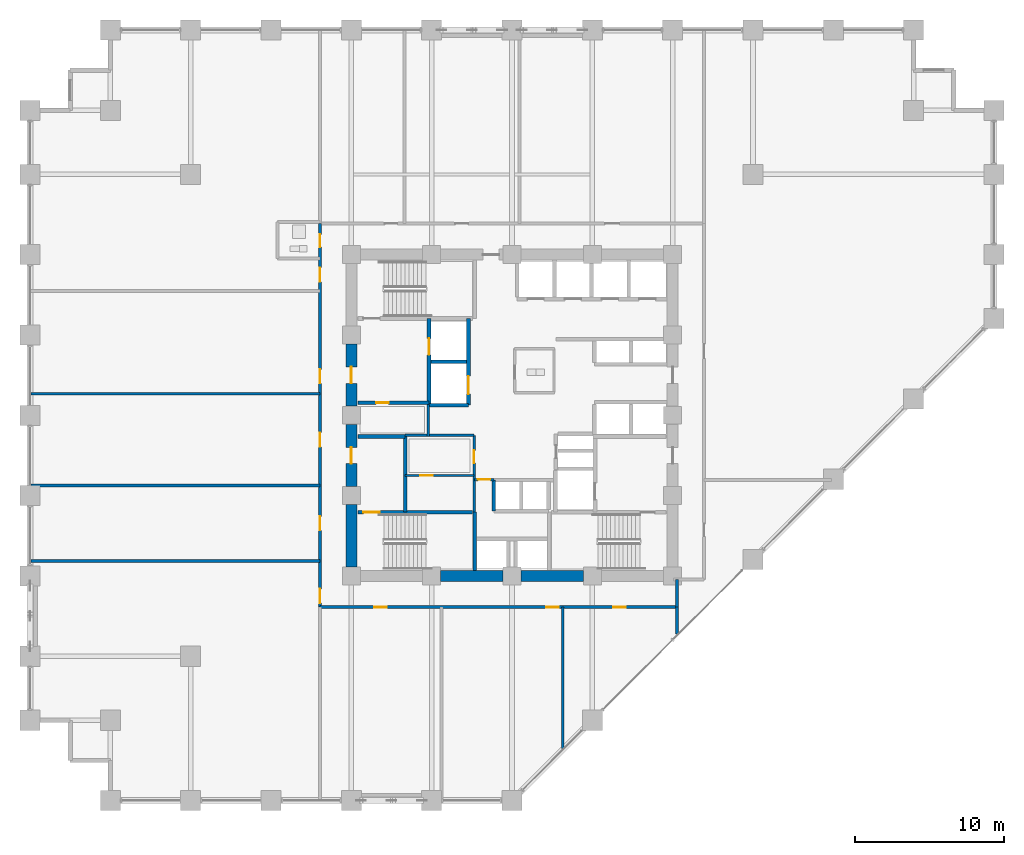
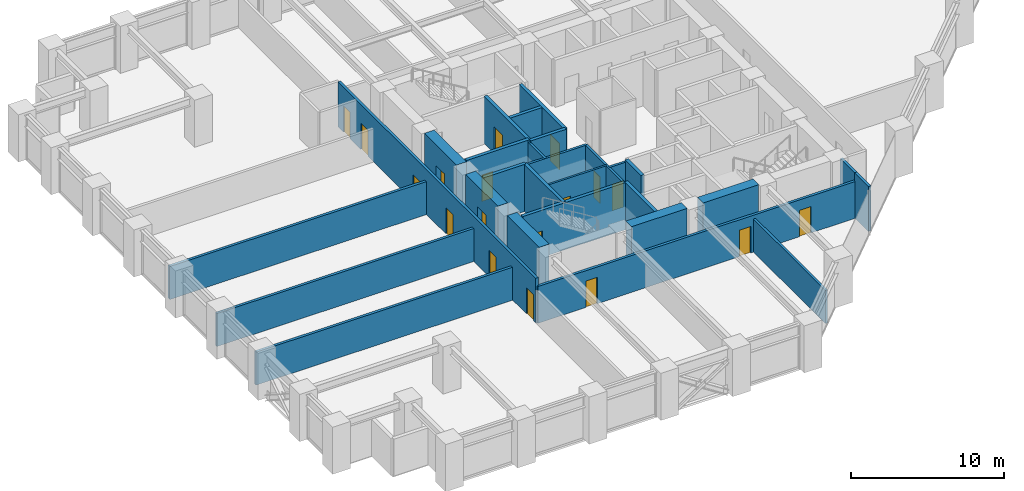
# One storey, part 20 of 24: 28 walls, 18 doors, 18 openings.
"""IFC4 building model written with IfcOpenShell, lengths in metres."""

from ifc_helpers import new_model, si_unit, direction, frame, frame_2d, origin, place, context, subcontext, project, spatial, rectangle, extrude, material, layer, layer_set, type_object, element, fill, save


model = new_model("IFC4")

# Units and contexts
model_context = context("Model", 3, precision=1e-05, world=origin(), true_north=direction((0.0, 1.0)))
body_context = subcontext(model_context, "Body", "Model", "MODEL_VIEW")
ifc_project = project(units=[si_unit("LENGTHUNIT", "METRE"), si_unit("AREAUNIT", "SQUARE_METRE"), si_unit("VOLUMEUNIT", "CUBIC_METRE"), si_unit("PLANEANGLEUNIT", "RADIAN"), si_unit("MASSUNIT", "GRAM", prefix="KILO")], contexts=[model_context])

# Site, building, storey
site_placement = place(None, origin())
site = spatial("IfcSite", under=ifc_project, at=site_placement, CompositionType="ELEMENT")
building_placement = place(site_placement, origin())
building = spatial("IfcBuilding", under=site, at=building_placement, Name="Surkhivell Harbour Commons", CompositionType="ELEMENT")
storey_placement = place(building_placement, frame((0.0, 0.0, 30.0)))
storey = spatial("IfcBuildingStorey", under=building, at=storey_placement, Name="L07", CompositionType="ELEMENT", Elevation=30.0)

# Walls
ifc_material_1 = material(Name="Concrete C60/75", Category="concrete")
ifc_layer_1 = layer(ifc_material_1, 0.75)
ifc_layer_set_1 = layer_set([ifc_layer_1], Name="Concrete C60/75")
wall_type_1 = type_object("IfcWallType", Name="WAL-CORE-750", PredefinedType="SHEAR", material=ifc_layer_set_1)
for number, where, z_axis, x_axis, name in (
    (1, (-10.800048828125, -10.18994140625, 0.0), (0.0, 0.0, 1.0), (0.0, 1.0, 0.0), "L07 Core Shear Wall West 1"),
    (2, (-4.7900390625, -10.800048828125, 0.0), (0.0, 0.0, 1.0), (1.0, 0.0, 0.0), "L07 Core Shear Wall South 2"),
):
    element("IfcWall", number, at=place(storey_placement, frame(where, z_axis=z_axis, x_axis=x_axis)), inside=storey, type_object=wall_type_1, Name=name, PredefinedType="SHEAR", context=body_context, shape_type="SweptSolid", body=[
        extrude(rectangle(XDim=4.179931640625, YDim=0.75, at=frame_2d((2.08984375, 0.0))), origin(), (0.0, 0.0, 1.0), 3.75),
    ])

# Wall, opening, door
wall_1_placement = place(storey_placement, frame((-10.800048828125, -4.7900390625, 0.0), z_axis=(0.0, 0.0, 1.0), x_axis=(0.0, 1.0, 0.0)))
wall_1 = element("IfcWall", 3, at=wall_1_placement, inside=storey, type_object=wall_type_1, Name="L07 Core Shear Wall West 2", PredefinedType="SHEAR", context=body_context, shape_type="SweptSolid", body=[
    extrude(rectangle(XDim=4.179931640625, YDim=0.75, at=frame_2d((2.08984375, 0.0))), origin(), (0.0, 0.0, 1.0), 3.75),
])
opening_1_placement = place(wall_1_placement, frame((1.5400390625, 0.0, 0.0)))
opening_1 = element("IfcOpeningElement", 4, at=opening_1_placement, cuts=wall_1, Name="Opening ID-2", PredefinedType="OPENING", context=body_context, shape_type="SweptSolid", body=[
    extrude(rectangle(XDim=1.10009765625, YDim=2.10009765625, at=frame_2d((0.550048828125, 1.050048828125))), frame((0.0, 0.385009765625, 0.0), z_axis=(0.0, -1.0, 0.0), x_axis=(1.0, 0.0, 0.0)), (0.0, 0.0, 1.0), 0.77001953125),
])
ifc_material_2 = material(Name="Hardwood-veneered fire-rated door leaf", Category="wood")
door_type_1 = type_object("IfcDoorType", Name="DOR-FD60-1100", OperationType="NOTDEFINED", PredefinedType="DOOR", material=ifc_material_2)
door_1_placement = place(opening_1_placement, origin())
door_1 = element("IfcDoor", 5, at=door_1_placement, inside=storey, type_object=door_type_1, Name="L07 Stair 3 Lobby Corridor Door", OperationType="SINGLE_SWING_LEFT", OverallHeight=2.10009765625, OverallWidth=1.10009765625, PredefinedType="DOOR", context=body_context, shape_type="SweptSolid", body=[
    extrude(rectangle(XDim=1.10009765625, YDim=2.10009765625, at=frame_2d((0.550048828125, 1.050048828125))), frame((0.0, 0.02490234375, 0.0), z_axis=(0.0, -1.0, 0.0), x_axis=(1.0, 0.0, 0.0)), (0.0, 0.0, 1.0), 0.050048828125),
])
fill(opening_1, door_1)

# Wall
wall_2_placement = place(storey_placement, frame((0.610107421875, -10.800048828125, 0.0), z_axis=(0.0, 0.0, 1.0), x_axis=(1.0, 0.0, 0.0)))
element("IfcWall", 6, at=wall_2_placement, inside=storey, type_object=wall_type_1, Name="L07 Core Shear Wall South 3", PredefinedType="SHEAR", context=body_context, shape_type="SweptSolid", body=[
    extrude(rectangle(XDim=4.179931640625, YDim=0.75, at=frame_2d((2.08984375, 0.0))), origin(), (0.0, 0.0, 1.0), 3.75),
])

# Wall, opening, door
wall_3_placement = place(storey_placement, frame((-10.800048828125, 0.610107421875, 0.0), z_axis=(0.0, 0.0, 1.0), x_axis=(0.0, 1.0, 0.0)))
wall_3 = element("IfcWall", 7, at=wall_3_placement, inside=storey, type_object=wall_type_1, Name="L07 Core Shear Wall West 3", PredefinedType="SHEAR", context=body_context, shape_type="SweptSolid", body=[
    extrude(rectangle(XDim=4.179931640625, YDim=0.75, at=frame_2d((2.08984375, 0.0))), origin(), (0.0, 0.0, 1.0), 3.75),
])
opening_2_placement = place(wall_3_placement, frame((1.5400390625, 0.0, 0.0)))
opening_2 = element("IfcOpeningElement", 8, at=opening_2_placement, cuts=wall_3, Name="Opening ID-1", PredefinedType="OPENING", context=body_context, shape_type="SweptSolid", body=[
    extrude(rectangle(XDim=1.10009765625, YDim=2.10009765625, at=frame_2d((0.550048828125, 1.050048828125))), frame((0.0, 0.385009765625, 0.0), z_axis=(0.0, -1.0, 0.0), x_axis=(1.0, 0.0, 0.0)), (0.0, 0.0, 1.0), 0.77001953125),
])
door_type_2 = type_object("IfcDoorType", Name="DOR-FD120-1100", OperationType="NOTDEFINED", PredefinedType="DOOR", material=ifc_material_2)
door_2_placement = place(opening_2_placement, origin())
door_2 = element("IfcDoor", 9, at=door_2_placement, inside=storey, type_object=door_type_2, Name="L07 Firefighting Lobby 1 Corridor Door", OperationType="SINGLE_SWING_LEFT", OverallHeight=2.10009765625, OverallWidth=1.10009765625, PredefinedType="DOOR", context=body_context, shape_type="SweptSolid", body=[
    extrude(rectangle(XDim=1.10009765625, YDim=2.10009765625, at=frame_2d((0.550048828125, 1.050048828125))), frame((0.0, 0.02490234375, 0.0), z_axis=(0.0, -1.0, 0.0), x_axis=(1.0, 0.0, 0.0)), (0.0, 0.0, 1.0), 0.050048828125),
])
fill(opening_2, door_2)

ifc_material_3 = material(Name="Twin-stud acoustic fireboard partition", Category="other")
ifc_layer_2 = layer(ifc_material_3, 0.14990234375)
ifc_layer_set_2 = layer_set([ifc_layer_2], Name="Twin-stud acoustic fireboard partition")
wall_type_2 = type_object("IfcWallType", Name="WAL-INT-150", PredefinedType="PARTITIONING", material=ifc_layer_set_2)
wall_4_placement = place(storey_placement, frame((-7.179931640625, -4.050048828125, 0.0), z_axis=(0.0, 0.0, 1.0), x_axis=(1.0, 0.0, 0.0)))
wall_4 = element("IfcWall", 10, at=wall_4_placement, inside=storey, type_object=wall_type_2, Name="L07 Core Cut A Partition", PredefinedType="PARTITIONING", context=body_context, shape_type="SweptSolid", body=[
    extrude(rectangle(XDim=4.6298828125, YDim=0.14990234375, at=frame_2d((2.31494140625, 0.0))), origin(), (0.0, 0.0, 1.0), 3.570068359375),
])
opening_3_placement = place(wall_4_placement, frame((1.0, 0.0, 0.0)))
opening_3 = element("IfcOpeningElement", 11, at=opening_3_placement, cuts=wall_4, Name="Opening ID-6", PredefinedType="OPENING", context=body_context, shape_type="SweptSolid", body=[
    extrude(rectangle(XDim=0.85009765625, YDim=2.10009765625, at=frame_2d((0.425048828125, 1.050048828125))), frame((0.0, 0.0849609375, 0.0), z_axis=(0.0, -1.0, 0.0), x_axis=(1.0, 0.0, 0.0)), (0.0, 0.0, 1.0), 0.169921875),
])
door_type_3 = type_object("IfcDoorType", Name="DOR-FD30-850", OperationType="NOTDEFINED", PredefinedType="DOOR", material=ifc_material_2)
door_3_placement = place(opening_3_placement, origin())
door_3 = element("IfcDoor", 12, at=door_3_placement, inside=storey, type_object=door_type_3, Name="L07 Linen Room Door", OperationType="SINGLE_SWING_RIGHT", OverallHeight=2.10009765625, OverallWidth=0.85009765625, PredefinedType="DOOR", context=body_context, shape_type="SweptSolid", body=[
    extrude(rectangle(XDim=0.85009765625, YDim=2.10009765625, at=frame_2d((0.425048828125, 1.050048828125))), frame((0.0, 0.02490234375, 0.0), z_axis=(0.0, -1.0, 0.0), x_axis=(1.0, 0.0, 0.0)), (0.0, 0.0, 1.0), 0.050048828125),
])
fill(opening_3, door_3)

ifc_material_4 = material(Name="High-density acoustic blockwork fire partition", Category="masonry")
ifc_layer_3 = layer(ifc_material_4, 0.175048828125)
ifc_layer_set_3 = layer_set([ifc_layer_3], Name="High-density acoustic blockwork fire partition")
wall_type_3 = type_object("IfcWallType", Name="WAL-INT-175", PredefinedType="PARTITIONING", material=ifc_layer_set_3)
wall_5_placement = place(storey_placement, frame((-2.550048828125, -6.510009765625, 0.0), z_axis=(0.0, 0.0, 1.0), x_axis=(0.0, 1.0, 0.0)))
wall_5 = element("IfcWall", 13, at=wall_5_placement, inside=storey, type_object=wall_type_3, Name="L07 Core Service Bay East Wall", PredefinedType="PARTITIONING", context=body_context, shape_type="SweptSolid", body=[
    extrude(rectangle(XDim=5.159912109375, YDim=0.175048828125, at=frame_2d((2.580078125, 0.0))), origin(), (0.0, 0.0, 1.0), 3.570068359375),
])
opening_4_placement = place(wall_5_placement, frame((3.300048828125, 0.0, 0.0)))
opening_4 = element("IfcOpeningElement", 14, at=opening_4_placement, cuts=wall_5, Name="Opening ID-6", PredefinedType="OPENING", context=body_context, shape_type="SweptSolid", body=[
    extrude(rectangle(XDim=0.85009765625, YDim=2.10009765625, at=frame_2d((0.425048828125, 1.050048828125))), frame((0.0, 0.097412109375, 0.0), z_axis=(0.0, -1.0, 0.0), x_axis=(1.0, 0.0, 0.0)), (0.0, 0.0, 1.0), 0.195068359375),
])
door_4_placement = place(opening_4_placement, origin())
door_4 = element("IfcDoor", 15, at=door_4_placement, inside=storey, type_object=door_type_3, Name="L07 Core Reading Alcove Door", OperationType="SINGLE_SWING_LEFT", OverallHeight=2.10009765625, OverallWidth=0.85009765625, PredefinedType="DOOR", context=body_context, shape_type="SweptSolid", body=[
    extrude(rectangle(XDim=0.85009765625, YDim=2.10009765625, at=frame_2d((0.425048828125, 1.050048828125))), frame((0.0, 0.02490234375, 0.0), z_axis=(0.0, -1.0, 0.0), x_axis=(1.0, 0.0, 0.0)), (0.0, 0.0, 1.0), 0.050048828125),
])
fill(opening_4, door_4)

# Walls
wall_6_placement = place(storey_placement, frame((-7.179931640625, -1.35009765625, 0.0), z_axis=(0.0, 0.0, 1.0), x_axis=(1.0, 0.0, 0.0)))
element("IfcWall", 16, at=wall_6_placement, inside=storey, type_object=wall_type_3, Name="L07 Core Service Bay North Wall", PredefinedType="PARTITIONING", context=body_context, shape_type="SweptSolid", body=[
    extrude(rectangle(XDim=4.6298828125, YDim=0.175048828125, at=frame_2d((2.31494140625, 0.0))), origin(), (0.0, 0.0, 1.0), 3.570068359375),
])
wall_7_placement = place(storey_placement, frame((-5.6201171875, -1.419921875, 0.0), z_axis=(0.0, 0.0, 1.0), x_axis=(0.0, 1.0, 0.0)))
element("IfcWall", 17, at=wall_7_placement, inside=storey, type_object=wall_type_3, Name="L07 West Core Bay East Wall", PredefinedType="PARTITIONING", context=body_context, shape_type="SweptSolid", body=[
    extrude(rectangle(XDim=2.139892578125, YDim=0.175048828125, at=frame_2d((1.06982421875, 0.0))), origin(), (0.0, 0.0, 1.0), 3.570068359375),
])

# Wall, opening, door
wall_8_placement = place(storey_placement, frame((-2.52001953125, -4.320068359375, 0.0), z_axis=(0.0, 0.0, 1.0), x_axis=(1.0, 0.0, 0.0)))
wall_8 = element("IfcWall", 18, at=wall_8_placement, inside=storey, type_object=wall_type_3, Name="L07 High-Rise Lobby North Portal Wall", PredefinedType="PARTITIONING", context=body_context, shape_type="SweptSolid", body=[
    extrude(rectangle(XDim=1.300048828125, YDim=0.175048828125, at=frame_2d((0.64990234375, 0.0))), origin(), (0.0, 0.0, 1.0), 3.570068359375),
])
opening_5_placement = place(wall_8_placement, frame((0.219970703125, 0.0, 0.0)))
opening_5 = element("IfcOpeningElement", 19, at=opening_5_placement, cuts=wall_8, Name="Opening ID-6", PredefinedType="OPENING", context=body_context, shape_type="SweptSolid", body=[
    extrude(rectangle(XDim=0.85009765625, YDim=2.10009765625, at=frame_2d((0.425048828125, 1.050048828125))), frame((0.0, 0.097412109375, 0.0), z_axis=(0.0, -1.0, 0.0), x_axis=(1.0, 0.0, 0.0)), (0.0, 0.0, 1.0), 0.195068359375),
])
door_5_placement = place(opening_5_placement, origin())
door_5 = element("IfcDoor", 20, at=door_5_placement, inside=storey, type_object=door_type_3, Name="L07 High-Rise Lift Lobby North Door", OperationType="SINGLE_SWING_LEFT", OverallHeight=2.10009765625, OverallWidth=0.85009765625, PredefinedType="DOOR", context=body_context, shape_type="SweptSolid", body=[
    extrude(rectangle(XDim=0.85009765625, YDim=2.10009765625, at=frame_2d((0.425048828125, 1.050048828125))), frame((0.0, 0.02490234375, 0.0), z_axis=(0.0, -1.0, 0.0), x_axis=(1.0, 0.0, 0.0)), (0.0, 0.0, 1.0), 0.050048828125),
])
fill(opening_5, door_5)

# Walls
wall_9_placement = place(storey_placement, frame((3.419921875, -22.395263671875, 0.0), z_axis=(0.0, 0.0, 1.0), x_axis=(0.0, 1.0, 0.0)))
element("IfcWall", 21, at=wall_9_placement, inside=storey, type_object=wall_type_3, Name="L07 South Partition P2", PredefinedType="PARTITIONING", context=body_context, shape_type="SweptSolid", body=[
    extrude(rectangle(XDim=9.495361328125, YDim=0.175048828125, at=frame_2d((4.74755859375, 0.0))), origin(), (0.0, 0.0, 1.0), 2.62890625),
])
ifc_material_5 = material(Name="Autoclaved aerated concrete blockwork and fire plaster", Category="masonry")
ifc_layer_4 = layer(ifc_material_5, 0.199951171875)
ifc_layer_set_4 = layer_set([ifc_layer_4], Name="Autoclaved aerated concrete blockwork and fire plaster")
wall_type_4 = type_object("IfcWallType", Name="WAL-INT-200", PredefinedType="PARTITIONING", material=ifc_layer_set_4)
wall_10_placement = place(storey_placement, frame((11.10009765625, -14.715087890625, 0.0), z_axis=(0.0, 0.0, 1.0), x_axis=(0.0, 1.0, 0.0)))
element("IfcWall", 22, at=wall_10_placement, inside=storey, type_object=wall_type_4, Name="L07 South-East Wing Corner Divider", PredefinedType="PARTITIONING", context=body_context, shape_type="SweptSolid", body=[
    extrude(rectangle(XDim=1.815185546875, YDim=0.199951171875, at=frame_2d((0.90771484375, 0.0))), origin(), (0.0, 0.0, 1.0), 3.570068359375),
])

# Wall, openings, doors
wall_11_placement = place(storey_placement, frame((-12.89990234375, -12.89990234375, 0.0), z_axis=(0.0, 0.0, 1.0), x_axis=(1.0, 0.0, 0.0)))
wall_11 = element("IfcWall", 23, at=wall_11_placement, inside=storey, type_object=wall_type_4, Name="L07 Corridor South Wall", PredefinedType="PARTITIONING", context=body_context, shape_type="SweptSolid", body=[
    extrude(rectangle(XDim=24.0, YDim=0.199951171875, at=frame_2d((12.0, 0.0))), origin(), (0.0, 0.0, 1.0), 2.929931640625),
])
opening_6_placement = place(wall_11_placement, frame((3.6298828125, 0.0, 0.0)))
opening_6 = element("IfcOpeningElement", 24, at=opening_6_placement, cuts=wall_11, Name="Opening ID-6", PredefinedType="OPENING", context=body_context, shape_type="SweptSolid", body=[
    extrude(rectangle(XDim=0.85009765625, YDim=2.10009765625, at=frame_2d((0.425048828125, 1.050048828125))), frame((0.0, 0.10986328125, 0.0), z_axis=(0.0, -1.0, 0.0), x_axis=(1.0, 0.0, 0.0)), (0.0, 0.0, 1.0), 0.219970703125),
])
opening_7_placement = place(wall_11_placement, frame((15.18994140625, 0.0, 0.0)))
opening_7 = element("IfcOpeningElement", 25, at=opening_7_placement, cuts=wall_11, Name="Opening ID-6", PredefinedType="OPENING", context=body_context, shape_type="SweptSolid", body=[
    extrude(rectangle(XDim=0.85009765625, YDim=2.10009765625, at=frame_2d((0.425048828125, 1.050048828125))), frame((0.0, 0.10986328125, 0.0), z_axis=(0.0, -1.0, 0.0), x_axis=(1.0, 0.0, 0.0)), (0.0, 0.0, 1.0), 0.219970703125),
])
opening_8_placement = place(wall_11_placement, frame((19.7099609375, 0.0, 0.0)))
opening_8 = element("IfcOpeningElement", 26, at=opening_8_placement, cuts=wall_11, Name="Opening ID-6", PredefinedType="OPENING", context=body_context, shape_type="SweptSolid", body=[
    extrude(rectangle(XDim=0.85009765625, YDim=2.10009765625, at=frame_2d((0.425048828125, 1.050048828125))), frame((0.0, 0.10986328125, 0.0), z_axis=(0.0, -1.0, 0.0), x_axis=(1.0, 0.0, 0.0)), (0.0, 0.0, 1.0), 0.219970703125),
])
door_6_placement = place(opening_6_placement, origin())
door_6 = element("IfcDoor", 27, at=door_6_placement, inside=storey, type_object=door_type_3, Name="L07 Academic Seminar Room 1 South Door", OperationType="SINGLE_SWING_LEFT", OverallHeight=2.10009765625, OverallWidth=0.85009765625, PredefinedType="DOOR", context=body_context, shape_type="SweptSolid", body=[
    extrude(rectangle(XDim=0.85009765625, YDim=2.10009765625, at=frame_2d((0.425048828125, 1.050048828125))), frame((0.0, 0.02490234375, 0.0), z_axis=(0.0, -1.0, 0.0), x_axis=(1.0, 0.0, 0.0)), (0.0, 0.0, 1.0), 0.050048828125),
])
fill(opening_6, door_6)
door_7_placement = place(opening_7_placement, origin())
door_7 = element("IfcDoor", 28, at=door_7_placement, inside=storey, type_object=door_type_3, Name="L07 Academic Seminar Room 2 South Door", OperationType="SINGLE_SWING_RIGHT", OverallHeight=2.10009765625, OverallWidth=0.85009765625, PredefinedType="DOOR", context=body_context, shape_type="SweptSolid", body=[
    extrude(rectangle(XDim=0.85009765625, YDim=2.10009765625, at=frame_2d((0.425048828125, 1.050048828125))), frame((0.0, 0.02490234375, 0.0), z_axis=(0.0, -1.0, 0.0), x_axis=(1.0, 0.0, 0.0)), (0.0, 0.0, 1.0), 0.050048828125),
])
fill(opening_7, door_7)
door_8_placement = place(opening_8_placement, origin())
door_8 = element("IfcDoor", 29, at=door_8_placement, inside=storey, type_object=door_type_3, Name="L07 Academic Seminar Room 3 South Door", OperationType="SINGLE_SWING_LEFT", OverallHeight=2.10009765625, OverallWidth=0.85009765625, PredefinedType="DOOR", context=body_context, shape_type="SweptSolid", body=[
    extrude(rectangle(XDim=0.85009765625, YDim=2.10009765625, at=frame_2d((0.425048828125, 1.050048828125))), frame((0.0, 0.02490234375, 0.0), z_axis=(0.0, -1.0, 0.0), x_axis=(1.0, 0.0, 0.0)), (0.0, 0.0, 1.0), 0.050048828125),
])
fill(opening_8, door_8)

# Wall
wall_12_placement = place(storey_placement, frame((11.10009765625, -12.89990234375, 0.0), z_axis=(0.0, 0.0, 1.0), x_axis=(0.0, 1.0, 0.0)))
element("IfcWall", 30, at=wall_12_placement, inside=storey, type_object=wall_type_4, Name="L07 Corridor SE Closure Wall", PredefinedType="PARTITIONING", context=body_context, shape_type="SweptSolid", body=[
    extrude(rectangle(XDim=1.85986328125, YDim=0.199951171875, at=frame_2d((0.929931640625, 0.0))), origin(), (0.0, 0.0, 1.0), 3.570068359375),
])

# Wall, openings, doors
wall_13_placement = place(storey_placement, frame((-12.89990234375, -12.89990234375, 0.0), z_axis=(0.0, 0.0, 1.0), x_axis=(0.0, 1.0, 0.0)))
wall_13 = element("IfcWall", 31, at=wall_13_placement, inside=storey, type_object=wall_type_4, Name="L07 Corridor West Wall", PredefinedType="PARTITIONING", context=body_context, shape_type="SweptSolid", body=[
    extrude(rectangle(XDim=25.7998046875, YDim=0.199951171875, at=frame_2d((12.89990234375, 0.0))), origin(), (0.0, 0.0, 1.0), 3.570068359375),
])
opening_9_placement = place(wall_13_placement, frame((0.280029296875, 0.0, 0.0)))
opening_9 = element("IfcOpeningElement", 32, at=opening_9_placement, cuts=wall_13, Name="Opening ID-4", PredefinedType="OPENING", context=body_context, shape_type="SweptSolid", body=[
    extrude(rectangle(XDim=0.949951171875, YDim=2.10009765625, at=frame_2d((0.47509765625, 1.050048828125))), frame((0.0, 0.10986328125, 0.0), z_axis=(0.0, -1.0, 0.0), x_axis=(1.0, 0.0, 0.0)), (0.0, 0.0, 1.0), 0.219970703125),
])
opening_10_placement = place(wall_13_placement, frame((24.205078125, 0.0, 0.0)))
opening_10 = element("IfcOpeningElement", 33, at=opening_10_placement, cuts=wall_13, Name="Opening ID-6", PredefinedType="OPENING", context=body_context, shape_type="SweptSolid", body=[
    extrude(rectangle(XDim=0.85009765625, YDim=2.10009765625, at=frame_2d((0.425048828125, 1.050048828125))), frame((0.0, 0.10986328125, 0.0), z_axis=(0.0, -1.0, 0.0), x_axis=(1.0, 0.0, 0.0)), (0.0, 0.0, 1.0), 0.219970703125),
])
opening_11_placement = place(wall_13_placement, frame((21.8701171875, 0.0, 0.0)))
opening_11 = element("IfcOpeningElement", 34, at=opening_11_placement, cuts=wall_13, Name="Opening ID-4", PredefinedType="OPENING", context=body_context, shape_type="SweptSolid", body=[
    extrude(rectangle(XDim=0.949951171875, YDim=2.10009765625, at=frame_2d((0.47509765625, 1.050048828125))), frame((0.0, 0.10986328125, 0.0), z_axis=(0.0, -1.0, 0.0), x_axis=(1.0, 0.0, 0.0)), (0.0, 0.0, 1.0), 0.219970703125),
])
opening_12_placement = place(wall_13_placement, frame((5.159912109375, 0.0, 0.0)))
opening_12 = element("IfcOpeningElement", 35, at=opening_12_placement, cuts=wall_13, Name="Opening ID-4", PredefinedType="OPENING", context=body_context, shape_type="SweptSolid", body=[
    extrude(rectangle(XDim=0.949951171875, YDim=2.10009765625, at=frame_2d((0.47509765625, 1.050048828125))), frame((0.0, 0.10986328125, 0.0), z_axis=(0.0, -1.0, 0.0), x_axis=(1.0, 0.0, 0.0)), (0.0, 0.0, 1.0), 0.219970703125),
])
opening_13_placement = place(wall_13_placement, frame((10.784912109375, 0.0, 0.0)))
opening_13 = element("IfcOpeningElement", 36, at=opening_13_placement, cuts=wall_13, Name="Opening ID-4", PredefinedType="OPENING", context=body_context, shape_type="SweptSolid", body=[
    extrude(rectangle(XDim=0.949951171875, YDim=2.10009765625, at=frame_2d((0.47509765625, 1.050048828125))), frame((0.0, 0.10986328125, 0.0), z_axis=(0.0, -1.0, 0.0), x_axis=(1.0, 0.0, 0.0)), (0.0, 0.0, 1.0), 0.219970703125),
])
opening_14_placement = place(wall_13_placement, frame((15.044677734375, 0.0, 0.0)))
opening_14 = element("IfcOpeningElement", 37, at=opening_14_placement, cuts=wall_13, Name="Opening ID-4", PredefinedType="OPENING", context=body_context, shape_type="SweptSolid", body=[
    extrude(rectangle(XDim=0.949951171875, YDim=2.10009765625, at=frame_2d((0.47509765625, 1.050048828125))), frame((0.0, 0.10986328125, 0.0), z_axis=(0.0, -1.0, 0.0), x_axis=(1.0, 0.0, 0.0)), (0.0, 0.0, 1.0), 0.219970703125),
])
door_9_placement = place(opening_10_placement, origin())
door_9 = element("IfcDoor", 38, at=door_9_placement, inside=storey, type_object=door_type_3, Name="L07 Communal Shower Bathroom West Door", OperationType="SINGLE_SWING_LEFT", OverallHeight=2.10009765625, OverallWidth=0.85009765625, PredefinedType="DOOR", context=body_context, shape_type="SweptSolid", body=[
    extrude(rectangle(XDim=0.85009765625, YDim=2.10009765625, at=frame_2d((0.425048828125, 1.050048828125))), frame((0.0, 0.02490234375, 0.0), z_axis=(0.0, -1.0, 0.0), x_axis=(1.0, 0.0, 0.0)), (0.0, 0.0, 1.0), 0.050048828125),
])
fill(opening_10, door_9)
door_type_4 = type_object("IfcDoorType", Name="DOR-FD60-950", OperationType="NOTDEFINED", PredefinedType="DOOR", material=ifc_material_2)
door_10_placement = place(opening_9_placement, origin())
door_10 = element("IfcDoor", 39, at=door_10_placement, inside=storey, type_object=door_type_4, Name="L07 Shared Communal Kitchen West Door", OperationType="SINGLE_SWING_RIGHT", OverallHeight=2.10009765625, OverallWidth=0.949951171875, PredefinedType="DOOR", context=body_context, shape_type="SweptSolid", body=[
    extrude(rectangle(XDim=0.949951171875, YDim=2.10009765625, at=frame_2d((0.47509765625, 1.050048828125))), frame((0.0, 0.02490234375, 0.0), z_axis=(0.0, -1.0, 0.0), x_axis=(1.0, 0.0, 0.0)), (0.0, 0.0, 1.0), 0.050048828125),
])
fill(opening_9, door_10)
door_11_placement = place(opening_11_placement, origin())
door_11 = element("IfcDoor", 40, at=door_11_placement, inside=storey, type_object=door_type_4, Name="L07 Academic Reading Commons West Door", OperationType="SINGLE_SWING_RIGHT", OverallHeight=2.10009765625, OverallWidth=0.949951171875, PredefinedType="DOOR", context=body_context, shape_type="SweptSolid", body=[
    extrude(rectangle(XDim=0.949951171875, YDim=2.10009765625, at=frame_2d((0.47509765625, 1.050048828125))), frame((0.0, 0.02490234375, 0.0), z_axis=(0.0, -1.0, 0.0), x_axis=(1.0, 0.0, 0.0)), (0.0, 0.0, 1.0), 0.050048828125),
])
fill(opening_11, door_11)
door_12_placement = place(opening_12_placement, origin())
door_12 = element("IfcDoor", 41, at=door_12_placement, inside=storey, type_object=door_type_4, Name="L07 Hostel Cluster Bedroom 1 West Door", OperationType="SINGLE_SWING_LEFT", OverallHeight=2.10009765625, OverallWidth=0.949951171875, PredefinedType="DOOR", context=body_context, shape_type="SweptSolid", body=[
    extrude(rectangle(XDim=0.949951171875, YDim=2.10009765625, at=frame_2d((0.47509765625, 1.050048828125))), frame((0.0, 0.02490234375, 0.0), z_axis=(0.0, -1.0, 0.0), x_axis=(1.0, 0.0, 0.0)), (0.0, 0.0, 1.0), 0.050048828125),
])
fill(opening_12, door_12)
door_13_placement = place(opening_13_placement, origin())
door_13 = element("IfcDoor", 42, at=door_13_placement, inside=storey, type_object=door_type_4, Name="L07 Co-Living Dormitory Bedroom 2 West Door", OperationType="SINGLE_SWING_RIGHT", OverallHeight=2.10009765625, OverallWidth=0.949951171875, PredefinedType="DOOR", context=body_context, shape_type="SweptSolid", body=[
    extrude(rectangle(XDim=0.949951171875, YDim=2.10009765625, at=frame_2d((0.47509765625, 1.050048828125))), frame((0.0, 0.02490234375, 0.0), z_axis=(0.0, -1.0, 0.0), x_axis=(1.0, 0.0, 0.0)), (0.0, 0.0, 1.0), 0.050048828125),
])
fill(opening_13, door_13)
door_14_placement = place(opening_14_placement, origin())
door_14 = element("IfcDoor", 43, at=door_14_placement, inside=storey, type_object=door_type_4, Name="L07 Hostel Cluster Bedroom 3 West Door", OperationType="SINGLE_SWING_LEFT", OverallHeight=2.10009765625, OverallWidth=0.949951171875, PredefinedType="DOOR", context=body_context, shape_type="SweptSolid", body=[
    extrude(rectangle(XDim=0.949951171875, YDim=2.10009765625, at=frame_2d((0.47509765625, 1.050048828125))), frame((0.0, 0.02490234375, 0.0), z_axis=(0.0, -1.0, 0.0), x_axis=(1.0, 0.0, 0.0)), (0.0, 0.0, 1.0), 0.050048828125),
])
fill(opening_14, door_14)

# Walls
for number, where, z_axis, x_axis, name in (
    (44, (-32.340087890625, -4.719970703125, 0.0), (0.0, 0.0, 1.0), (1.0, 0.0, 0.0), "L07 West Partition BDP1"),
    (45, (-32.340087890625, 1.449951171875, 0.0), (0.0, 0.0, 1.0), (1.0, 0.0, 0.0), "L07 West Partition BDP2"),
    (46, (-32.340087890625, -9.800048828125, 0.0), (0.0, 0.0, 1.0), (1.0, 0.0, 0.0), "L07 West Partition PBOT"),
):
    element("IfcWall", number, at=place(storey_placement, frame(where, z_axis=z_axis, x_axis=x_axis)), inside=storey, type_object=wall_type_4, Name=name, PredefinedType="PARTITIONING", context=body_context, shape_type="SweptSolid", body=[
        extrude(rectangle(XDim=19.440185546875, YDim=0.199951171875, at=frame_2d((9.72021484375, 0.0))), origin(), (0.0, 0.0, 1.0), 2.62890625),
    ])

# Wall, opening, door
ifc_material_6 = material(Name="Concrete C50/60", Category="concrete")
ifc_layer_5 = layer(ifc_material_6, 0.25)
ifc_layer_set_5 = layer_set([ifc_layer_5], Name="Concrete C50/60")
wall_type_5 = type_object("IfcWallType", Name="WAL-SHAFT-250", PredefinedType="SHEAR", material=ifc_layer_set_5)
wall_14_placement = place(storey_placement, frame((-5.580078125, 0.719970703125, 0.0), z_axis=(0.0, 0.0, 1.0), x_axis=(0.0, 1.0, 0.0)))
wall_14 = element("IfcWall", 47, at=wall_14_placement, inside=storey, type_object=wall_type_5, Name="L07 Firefighting Lobby 1 East Shaft Wall", PredefinedType="SHEAR", context=body_context, shape_type="SweptSolid", body=[
    extrude(rectangle(XDim=5.7900390625, YDim=0.25, at=frame_2d((2.89501953125, 0.0))), origin(), (0.0, 0.0, 1.0), 3.75),
])
opening_15_placement = place(wall_14_placement, frame((3.35009765625, 0.0, 0.0)))
opening_15 = element("IfcOpeningElement", 48, at=opening_15_placement, cuts=wall_14, Name="Opening LD-1", PredefinedType="OPENING", context=body_context, shape_type="SweptSolid", body=[
    extrude(rectangle(XDim=1.10009765625, YDim=2.10009765625, at=frame_2d((0.550048828125, 1.050048828125))), frame((0.0, 0.135009765625, 0.0), z_axis=(0.0, -1.0, 0.0), x_axis=(1.0, 0.0, 0.0)), (0.0, 0.0, 1.0), 0.27001953125),
])
ifc_material_7 = material(Name="Brushed stainless steel S355", Category="steel")
door_type_5 = type_object("IfcDoorType", Name="DOR-LD-1100", OperationType="SLIDING_TO_LEFT", PredefinedType="DOOR", material=ifc_material_7)
door_15_placement = place(opening_15_placement, origin())
door_15 = element("IfcDoor", 49, at=door_15_placement, inside=storey, type_object=door_type_5, Name="L07 Lift Landing Door LD-FFL1", OperationType="SLIDING_TO_LEFT", OverallHeight=2.10009765625, OverallWidth=1.10009765625, PredefinedType="DOOR", context=body_context, shape_type="SweptSolid", body=[
    extrude(rectangle(XDim=1.10009765625, YDim=2.10009765625, at=frame_2d((0.550048828125, 1.050048828125))), frame((0.0, 0.02490234375, 0.0), z_axis=(0.0, -1.0, 0.0), x_axis=(1.0, 0.0, 0.0)), (0.0, 0.0, 1.0), 0.050048828125),
])
fill(opening_15, door_15)

wall_15_placement = place(storey_placement, frame((-10.340087890625, 0.85009765625, 0.0), z_axis=(0.0, 0.0, 1.0), x_axis=(1.0, 0.0, 0.0)))
wall_15 = element("IfcWall", 50, at=wall_15_placement, inside=storey, type_object=wall_type_5, Name="L07 Firefighting Lobby 1 South Wall", PredefinedType="SHEAR", context=body_context, shape_type="SweptSolid", body=[
    extrude(rectangle(XDim=4.760009765625, YDim=0.25, at=frame_2d((2.3798828125, 0.0))), origin(), (0.0, 0.0, 1.0), 3.75),
])
opening_16_placement = place(wall_15_placement, frame((1.199951171875, 0.0, 0.0)))
opening_16 = element("IfcOpeningElement", 51, at=opening_16_placement, cuts=wall_15, Name="Opening ID-6", PredefinedType="OPENING", context=body_context, shape_type="SweptSolid", body=[
    extrude(rectangle(XDim=0.85009765625, YDim=2.10009765625, at=frame_2d((0.425048828125, 1.050048828125))), frame((0.0, 0.135009765625, 0.0), z_axis=(0.0, -1.0, 0.0), x_axis=(1.0, 0.0, 0.0)), (0.0, 0.0, 1.0), 0.27001953125),
])
door_16_placement = place(opening_16_placement, origin())
door_16 = element("IfcDoor", 52, at=door_16_placement, inside=storey, type_object=door_type_3, Name="L07 West Quiet Study Door", OperationType="SINGLE_SWING_RIGHT", OverallHeight=2.10009765625, OverallWidth=0.85009765625, PredefinedType="DOOR", context=body_context, shape_type="SweptSolid", body=[
    extrude(rectangle(XDim=0.85009765625, YDim=2.10009765625, at=frame_2d((0.425048828125, 1.050048828125))), frame((0.0, 0.02490234375, 0.0), z_axis=(0.0, -1.0, 0.0), x_axis=(1.0, 0.0, 0.0)), (0.0, 0.0, 1.0), 0.050048828125),
])
fill(opening_16, door_16)

# Walls
wall_16_placement = place(storey_placement, frame((-1.219970703125, -6.43994140625, 0.0), z_axis=(0.0, 0.0, 1.0), x_axis=(0.0, 1.0, 0.0)))
element("IfcWall", 53, at=wall_16_placement, inside=storey, type_object=wall_type_5, Name="L07 High-Rise Passage East Shaft Wall", PredefinedType="SHEAR", context=body_context, shape_type="SweptSolid", body=[
    extrude(rectangle(XDim=2.079833984375, YDim=0.25, at=frame_2d((1.0400390625, 0.0))), origin(), (0.0, 0.0, 1.0), 3.75),
])
wall_17_placement = place(storey_placement, frame((-2.510009765625, -10.425048828125, 0.0), z_axis=(0.0, 0.0, 1.0), x_axis=(0.0, 1.0, 0.0)))
element("IfcWall", 54, at=wall_17_placement, inside=storey, type_object=wall_type_5, Name="L07 Stair ST3 East Shear Wall", PredefinedType="SHEAR", context=body_context, shape_type="SweptSolid", body=[
    extrude(rectangle(XDim=3.9150390625, YDim=0.25, at=frame_2d((1.95751953125, 0.0))), origin(), (0.0, 0.0, 1.0), 3.75),
])
wall_18_placement = place(storey_placement, frame((-7.179931640625, -6.510009765625, 0.0), z_axis=(0.0, 0.0, 1.0), x_axis=(0.0, 1.0, 0.0)))
element("IfcWall", 55, at=wall_18_placement, inside=storey, type_object=wall_type_5, Name="L07 Stair 3 Lobby East Wall", PredefinedType="SHEAR", context=body_context, shape_type="SweptSolid", body=[
    extrude(rectangle(XDim=5.090087890625, YDim=0.25, at=frame_2d((2.544921875, 0.0))), origin(), (0.0, 0.0, 1.0), 3.75),
])
wall_19_placement = place(storey_placement, frame((-10.340087890625, -1.419921875, 0.0), z_axis=(0.0, 0.0, 1.0), x_axis=(1.0, 0.0, 0.0)))
element("IfcWall", 56, at=wall_19_placement, inside=storey, type_object=wall_type_5, Name="L07 Stair 3 Lobby North Wall", PredefinedType="SHEAR", context=body_context, shape_type="SweptSolid", body=[
    extrude(rectangle(XDim=3.16015625, YDim=0.25, at=frame_2d((1.580078125, 0.0))), origin(), (0.0, 0.0, 1.0), 3.75),
])

# Wall, opening, door
wall_20_placement = place(storey_placement, frame((-10.340087890625, -6.510009765625, 0.0), z_axis=(0.0, 0.0, 1.0), x_axis=(1.0, 0.0, 0.0)))
wall_20 = element("IfcWall", 57, at=wall_20_placement, inside=storey, type_object=wall_type_5, Name="L07 Stair ST3 North Shear Wall", PredefinedType="SHEAR", context=body_context, shape_type="SweptSolid", body=[
    extrude(rectangle(XDim=7.7001953125, YDim=0.25, at=frame_2d((3.85009765625, 0.0))), origin(), (0.0, 0.0, 1.0), 3.75),
])
opening_17_placement = place(wall_20_placement, frame((0.35009765625, 0.0, 0.0)))
opening_17 = element("IfcOpeningElement", 58, at=opening_17_placement, cuts=wall_20, Name="Opening ID-2", PredefinedType="OPENING", context=body_context, shape_type="SweptSolid", body=[
    extrude(rectangle(XDim=1.10009765625, YDim=2.10009765625, at=frame_2d((0.550048828125, 1.050048828125))), frame((0.0, 0.135009765625, 0.0), z_axis=(0.0, -1.0, 0.0), x_axis=(1.0, 0.0, 0.0)), (0.0, 0.0, 1.0), 0.27001953125),
])
door_17_placement = place(opening_17_placement, origin())
door_17 = element("IfcDoor", 59, at=door_17_placement, inside=storey, type_object=door_type_1, Name="L07 Stair ST3 Exit Door", OperationType="SINGLE_SWING_RIGHT", OverallHeight=2.10009765625, OverallWidth=1.10009765625, PredefinedType="DOOR", context=body_context, shape_type="SweptSolid", body=[
    extrude(rectangle(XDim=1.10009765625, YDim=2.10009765625, at=frame_2d((0.550048828125, 1.050048828125))), frame((0.0, 0.02490234375, 0.0), z_axis=(0.0, -1.0, 0.0), x_axis=(1.0, 0.0, 0.0)), (0.0, 0.0, 1.0), 0.050048828125),
])
fill(opening_17, door_17)

wall_21_placement = place(storey_placement, frame((-2.929931640625, 0.679931640625, 0.0), z_axis=(0.0, 0.0, 1.0), x_axis=(0.0, 1.0, 0.0)))
wall_21 = element("IfcWall", 60, at=wall_21_placement, inside=storey, type_object=wall_type_5, Name="L07 Service and Fire Lift East Shaft Wall", PredefinedType="SHEAR", context=body_context, shape_type="SweptSolid", body=[
    extrude(rectangle(XDim=5.830078125, YDim=0.25, at=frame_2d((2.9150390625, 0.0))), origin(), (0.0, 0.0, 1.0), 3.75),
])
opening_18_placement = place(wall_21_placement, frame((0.75, 0.0, 0.0)))
opening_18 = element("IfcOpeningElement", 61, at=opening_18_placement, cuts=wall_21, Name="Opening LD-2", PredefinedType="OPENING", context=body_context, shape_type="SweptSolid", body=[
    extrude(rectangle(XDim=1.199951171875, YDim=2.10009765625, at=frame_2d((0.60009765625, 1.050048828125))), frame((0.0, 0.135009765625, 0.0), z_axis=(0.0, -1.0, 0.0), x_axis=(1.0, 0.0, 0.0)), (0.0, 0.0, 1.0), 0.27001953125),
])
door_type_6 = type_object("IfcDoorType", Name="DOR-LD-1200", OperationType="SLIDING_TO_LEFT", PredefinedType="DOOR", material=ifc_material_7)
door_18_placement = place(opening_18_placement, origin())
door_18 = element("IfcDoor", 62, at=door_18_placement, inside=storey, type_object=door_type_6, Name="L07 Lift Landing Door LD-SVL1", OperationType="SLIDING_TO_LEFT", OverallHeight=2.10009765625, OverallWidth=1.199951171875, PredefinedType="DOOR", context=body_context, shape_type="SweptSolid", body=[
    extrude(rectangle(XDim=1.199951171875, YDim=2.10009765625, at=frame_2d((0.60009765625, 1.050048828125))), frame((0.0, 0.02490234375, 0.0), z_axis=(0.0, -1.0, 0.0), x_axis=(1.0, 0.0, 0.0)), (0.0, 0.0, 1.0), 0.050048828125),
])
fill(opening_18, door_18)

# Walls
wall_22_placement = place(storey_placement, frame((-5.449951171875, 3.60009765625, 0.0), z_axis=(0.0, 0.0, 1.0), x_axis=(1.0, 0.0, 0.0)))
element("IfcWall", 63, at=wall_22_placement, inside=storey, type_object=wall_type_5, Name="L07 FFL1/SVL1 Shaft Divider", PredefinedType="SHEAR", context=body_context, shape_type="SweptSolid", body=[
    extrude(rectangle(XDim=2.389892578125, YDim=0.25, at=frame_2d((1.19482421875, 0.0))), origin(), (0.0, 0.0, 1.0), 3.75),
])
wall_23_placement = place(storey_placement, frame((-5.580078125, 0.679931640625, 0.0), z_axis=(0.0, 0.0, 1.0), x_axis=(1.0, 0.0, 0.0)))
element("IfcWall", 64, at=wall_23_placement, inside=storey, type_object=wall_type_5, Name="L07 SVL1 South Shaft Wall", PredefinedType="SHEAR", context=body_context, shape_type="SweptSolid", body=[
    extrude(rectangle(XDim=2.650146484375, YDim=0.25, at=frame_2d((1.3251953125, 0.0))), origin(), (0.0, 0.0, 1.0), 3.75),
])

save(model, "model.ifc")
